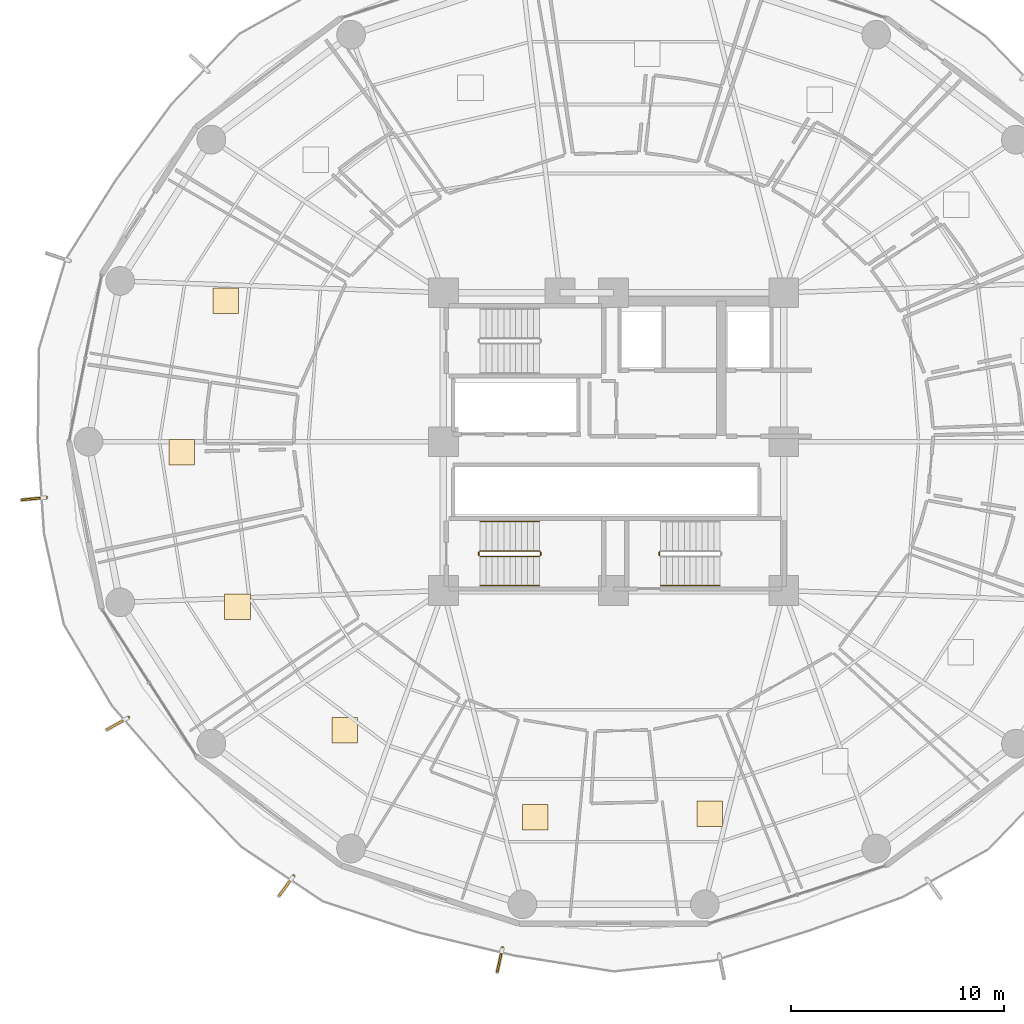
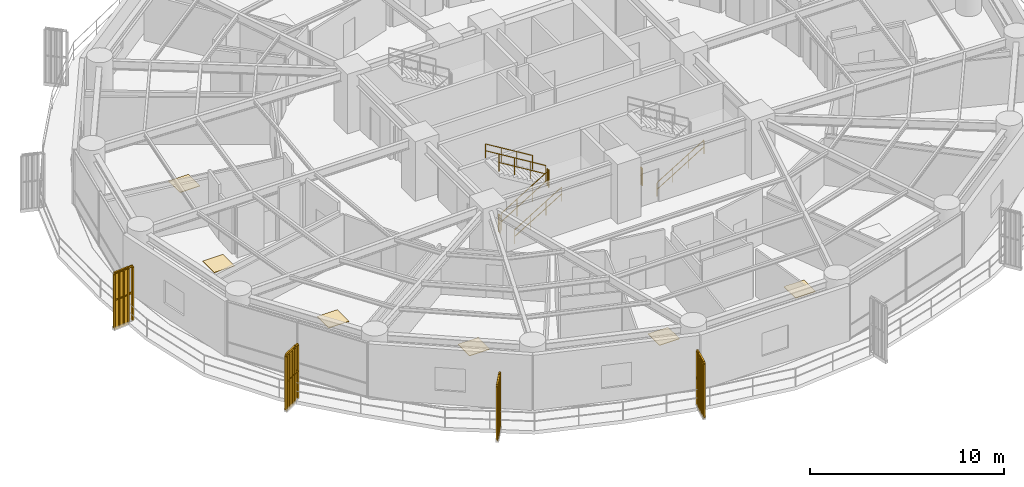
# One storey, part 32 of 35: 12 railings, 6 coverings, 4 shading devices.
"""IFC4 building model written with IfcOpenShell, lengths in metres."""

from ifc_helpers import new_model, si_unit, direction, frame, origin, origin_2d, place, context, subcontext, project, spatial, polyline, rectangle, outline, extrude, source, transform, mapped, material, layer, layer_set, type_object, element, save


model = new_model("IFC4")

# Units and contexts
model_context = context("Model", 3, precision=1e-05, world=origin(), true_north=direction((0.0, 1.0)))
body_context = subcontext(model_context, "Body", "Model", "MODEL_VIEW")
ifc_project = project(units=[si_unit("LENGTHUNIT", "METRE"), si_unit("AREAUNIT", "SQUARE_METRE"), si_unit("VOLUMEUNIT", "CUBIC_METRE"), si_unit("PLANEANGLEUNIT", "RADIAN"), si_unit("MASSUNIT", "GRAM", prefix="KILO")], contexts=[model_context])

# Site, building, storey
site_placement = place(None, origin())
site = spatial("IfcSite", under=ifc_project, at=site_placement, CompositionType="ELEMENT")
building_placement = place(site_placement, origin())
building = spatial("IfcBuilding", under=site, at=building_placement, Name="Kelanora Arch Commons", CompositionType="ELEMENT")
storey_placement = place(building_placement, frame((0.0, 0.0, 95.10009765625)))
storey = spatial("IfcBuildingStorey", under=building, at=storey_placement, Name="L24", CompositionType="ELEMENT", Elevation=95.10009765625)

# Railings
ifc_material_1 = material(Name="Anodised bronze vertical shading fin rib assembly")
railing_type_1 = type_object("IfcRailingType", Name="RAIL-FIN-BRZ", PredefinedType="BALUSTRADE", material=ifc_material_1)
railing_1_placement = place(storey_placement, frame((47.338134765625, 55.37646484375, -0.02001953125)))
element("IfcRailing", 1, at=railing_1_placement, inside=storey, type_object=railing_type_1, Name="Sweeping Bronze Vertical Fin Blade L24-06", PredefinedType="BALUSTRADE", context=body_context, shape_type="SweptSolid", body=[
    extrude(outline(polyline([(0.06982421875, 0.0), (0.034912109375, 0.060546875), (-0.034912109375, 0.060546875), (-0.06982421875, 0.0), (-0.034912109375, -0.060546875), (0.034912109375, -0.060546875), (0.06982421875, 0.0)])), frame((0.0, 0.0, 3.419921875), z_axis=(-0.995185984566, -0.09800436788, 0.0), x_axis=(0.09800436788, -0.995185984566, 0.0)), (0.0, 0.0, 1.0), 1.160888671875),
    extrude(outline(polyline([(0.06982421875, 0.0), (0.034912109375, 0.060546875), (-0.034912109375, 0.060546875), (-0.06982421875, 0.0), (-0.034912109375, -0.060546875), (0.034912109375, -0.060546875), (0.06982421875, 0.0)])), frame((0.0, 0.0, 1.7451171875), z_axis=(-0.995185984566, -0.09800436788, 0.0), x_axis=(0.09800436788, -0.995185984566, 0.0)), (0.0, 0.0, 1.0), 1.160888671875),
    extrude(outline(polyline([(0.080078125, 0.0), (0.0400390625, 0.0693359375), (-0.0400390625, 0.0693359375), (-0.080078125, 0.0), (-0.0400390625, -0.0693359375), (0.0400390625, -0.0693359375), (0.080078125, 0.0)])), origin(), (0.0, 0.0, 1.0), 3.35009765625),
    extrude(outline(polyline([(0.080078125, 0.0), (0.0400390625, 0.0693359375), (-0.0400390625, 0.0693359375), (-0.080078125, 0.0), (-0.0400390625, -0.0693359375), (0.0400390625, -0.0693359375), (0.080078125, 0.0)])), frame((-0.288818359375, -0.0283203125, 0.0)), (0.0, 0.0, 1.0), 3.35009765625),
    extrude(outline(polyline([(0.080078125, 0.0), (0.0400390625, 0.0693359375), (-0.0400390625, 0.0693359375), (-0.080078125, 0.0), (-0.0400390625, -0.0693359375), (0.0400390625, -0.0693359375), (0.080078125, 0.0)])), frame((-0.57763671875, -0.056884765625, 0.0)), (0.0, 0.0, 1.0), 3.35009765625),
    extrude(outline(polyline([(0.080078125, 0.0), (0.0400390625, 0.0693359375), (-0.0400390625, 0.0693359375), (-0.080078125, 0.0), (-0.0400390625, -0.0693359375), (0.0400390625, -0.0693359375), (0.080078125, 0.0)])), frame((-0.866455078125, -0.08544921875, 0.0)), (0.0, 0.0, 1.0), 3.35009765625),
    extrude(outline(polyline([(0.080078125, 0.0), (0.0400390625, 0.0693359375), (-0.0400390625, 0.0693359375), (-0.080078125, 0.0), (-0.0400390625, -0.0693359375), (0.0400390625, -0.0693359375), (0.080078125, 0.0)])), frame((-1.1552734375, -0.11376953125, 0.0)), (0.0, 0.0, 1.0), 3.35009765625),
])
railing_2_placement = place(storey_placement, frame((51.19482421875, 45.0341796875, -0.02001953125)))
element("IfcRailing", 2, at=railing_2_placement, inside=storey, type_object=railing_type_1, Name="Sweeping Bronze Vertical Fin Blade L24-07", PredefinedType="BALUSTRADE", context=body_context, shape_type="SweptSolid", body=[
    extrude(outline(polyline([(0.06982421875, 0.0), (0.034912109375, 0.060546875), (-0.034912109375, 0.060546875), (-0.06982421875, 0.0), (-0.034912109375, -0.060546875), (0.034912109375, -0.060546875), (0.06982421875, 0.0)])), frame((0.0, 0.0, 3.419921875), z_axis=(-0.869444238761, -0.494031087772, 0.0), x_axis=(0.494031087772, -0.869444238761, 0.0)), (0.0, 0.0, 1.0), 1.160888671875),
    extrude(outline(polyline([(0.06982421875, 0.0), (0.034912109375, 0.060546875), (-0.034912109375, 0.060546875), (-0.06982421875, 0.0), (-0.034912109375, -0.060546875), (0.034912109375, -0.060546875), (0.06982421875, 0.0)])), frame((0.0, 0.0, 1.7451171875), z_axis=(-0.869444238761, -0.494031087772, 0.0), x_axis=(0.494031087772, -0.869444238761, 0.0)), (0.0, 0.0, 1.0), 1.160888671875),
    extrude(outline(polyline([(0.080078125, 0.0), (0.0400390625, 0.0693359375), (-0.0400390625, 0.0693359375), (-0.080078125, 0.0), (-0.0400390625, -0.0693359375), (0.0400390625, -0.0693359375), (0.080078125, 0.0)])), origin(), (0.0, 0.0, 1.0), 3.35009765625),
    extrude(outline(polyline([(0.080078125, 0.0), (0.0400390625, 0.0693359375), (-0.0400390625, 0.0693359375), (-0.080078125, 0.0), (-0.0400390625, -0.0693359375), (0.0400390625, -0.0693359375), (0.080078125, 0.0)])), frame((-0.25244140625, -0.143310546875, 0.0)), (0.0, 0.0, 1.0), 3.35009765625),
    extrude(outline(polyline([(0.080078125, 0.0), (0.0400390625, 0.0693359375), (-0.0400390625, 0.0693359375), (-0.080078125, 0.0), (-0.0400390625, -0.0693359375), (0.0400390625, -0.0693359375), (0.080078125, 0.0)])), frame((-0.504638671875, -0.28662109375, 0.0)), (0.0, 0.0, 1.0), 3.35009765625),
    extrude(outline(polyline([(0.080078125, 0.0), (0.0400390625, 0.0693359375), (-0.0400390625, 0.0693359375), (-0.080078125, 0.0), (-0.0400390625, -0.0693359375), (0.0400390625, -0.0693359375), (0.080078125, 0.0)])), frame((-0.7568359375, -0.43017578125, 0.0)), (0.0, 0.0, 1.0), 3.35009765625),
    extrude(outline(polyline([(0.080078125, 0.0), (0.0400390625, 0.0693359375), (-0.0400390625, 0.0693359375), (-0.080078125, 0.0), (-0.0400390625, -0.0693359375), (0.0400390625, -0.0693359375), (0.080078125, 0.0)])), frame((-1.00927734375, -0.573486328125, 0.0)), (0.0, 0.0, 1.0), 3.35009765625),
])
railing_3_placement = place(storey_placement, frame((58.959228515625, 37.584228515625, -0.02001953125)))
element("IfcRailing", 3, at=railing_3_placement, inside=storey, type_object=railing_type_1, Name="Sweeping Bronze Vertical Fin Blade L24-08", PredefinedType="BALUSTRADE", context=body_context, shape_type="SweptSolid", body=[
    extrude(outline(polyline([(0.06982421875, 0.0), (0.034912109375, 0.060546875), (-0.034912109375, 0.060546875), (-0.06982421875, 0.0), (-0.034912109375, -0.060546875), (0.034912109375, -0.060546875), (0.06982421875, 0.0)])), frame((0.0, 0.0, 3.419921875), z_axis=(-0.593112941638, -0.805119269712, 0.0), x_axis=(0.805119269712, -0.593112941638, 0.0)), (0.0, 0.0, 1.0), 1.160888671875),
    extrude(outline(polyline([(0.06982421875, 0.0), (0.034912109375, 0.060546875), (-0.034912109375, 0.060546875), (-0.06982421875, 0.0), (-0.034912109375, -0.060546875), (0.034912109375, -0.060546875), (0.06982421875, 0.0)])), frame((0.0, 0.0, 1.7451171875), z_axis=(-0.593112941638, -0.805119269712, 0.0), x_axis=(0.805119269712, -0.593112941638, 0.0)), (0.0, 0.0, 1.0), 1.160888671875),
    extrude(outline(polyline([(0.080078125, 0.0), (0.0400390625, 0.0693359375), (-0.0400390625, 0.0693359375), (-0.080078125, 0.0), (-0.0400390625, -0.0693359375), (0.0400390625, -0.0693359375), (0.080078125, 0.0)])), origin(), (0.0, 0.0, 1.0), 3.35009765625),
    extrude(outline(polyline([(0.080078125, 0.0), (0.0400390625, 0.0693359375), (-0.0400390625, 0.0693359375), (-0.080078125, 0.0), (-0.0400390625, -0.0693359375), (0.0400390625, -0.0693359375), (0.080078125, 0.0)])), frame((-0.172119140625, -0.233642578125, 0.0)), (0.0, 0.0, 1.0), 3.35009765625),
    extrude(outline(polyline([(0.080078125, 0.0), (0.0400390625, 0.0693359375), (-0.0400390625, 0.0693359375), (-0.080078125, 0.0), (-0.0400390625, -0.0693359375), (0.0400390625, -0.0693359375), (0.080078125, 0.0)])), frame((-0.34423828125, -0.46728515625, 0.0)), (0.0, 0.0, 1.0), 3.35009765625),
    extrude(outline(polyline([(0.080078125, 0.0), (0.0400390625, 0.0693359375), (-0.0400390625, 0.0693359375), (-0.080078125, 0.0), (-0.0400390625, -0.0693359375), (0.0400390625, -0.0693359375), (0.080078125, 0.0)])), frame((-0.516357421875, -0.700927734375, 0.0)), (0.0, 0.0, 1.0), 3.35009765625),
    extrude(outline(polyline([(0.080078125, 0.0), (0.0400390625, 0.0693359375), (-0.0400390625, 0.0693359375), (-0.080078125, 0.0), (-0.0400390625, -0.0693359375), (0.0400390625, -0.0693359375), (0.080078125, 0.0)])), frame((-0.6884765625, -0.9345703125, 0.0)), (0.0, 0.0, 1.0), 3.35009765625),
])
railing_4_placement = place(storey_placement, frame((68.7783203125, 34.21044921875, -0.02001953125)))
element("IfcRailing", 4, at=railing_4_placement, inside=storey, type_object=railing_type_1, Name="Sweeping Bronze Vertical Fin Blade L24-09", PredefinedType="BALUSTRADE", context=body_context, shape_type="SweptSolid", body=[
    extrude(outline(polyline([(0.06982421875, 0.0), (0.034912109375, 0.060546875), (-0.034912109375, 0.060546875), (-0.06982421875, 0.0), (-0.034912109375, -0.060546875), (0.034912109375, -0.060546875), (0.06982421875, 0.0)])), frame((0.0, 0.0, 3.419921875), z_axis=(-0.214524746916, -0.976718553607, 0.0), x_axis=(0.976718553607, -0.214524746916, 0.0)), (0.0, 0.0, 1.0), 1.160888671875),
    extrude(outline(polyline([(0.06982421875, 0.0), (0.034912109375, 0.060546875), (-0.034912109375, 0.060546875), (-0.06982421875, 0.0), (-0.034912109375, -0.060546875), (0.034912109375, -0.060546875), (0.06982421875, 0.0)])), frame((0.0, 0.0, 1.7451171875), z_axis=(-0.214524746916, -0.976718553607, 0.0), x_axis=(0.976718553607, -0.214524746916, 0.0)), (0.0, 0.0, 1.0), 1.160888671875),
    extrude(outline(polyline([(0.080078125, 0.0), (0.0400390625, 0.0693359375), (-0.0400390625, 0.0693359375), (-0.080078125, 0.0), (-0.0400390625, -0.0693359375), (0.0400390625, -0.0693359375), (0.080078125, 0.0)])), origin(), (0.0, 0.0, 1.0), 3.35009765625),
    extrude(outline(polyline([(0.080078125, 0.0), (0.0400390625, 0.0693359375), (-0.0400390625, 0.0693359375), (-0.080078125, 0.0), (-0.0400390625, -0.0693359375), (0.0400390625, -0.0693359375), (0.080078125, 0.0)])), frame((-0.062255859375, -0.283447265625, 0.0)), (0.0, 0.0, 1.0), 3.35009765625),
    extrude(outline(polyline([(0.080078125, 0.0), (0.0400390625, 0.0693359375), (-0.0400390625, 0.0693359375), (-0.080078125, 0.0), (-0.0400390625, -0.0693359375), (0.0400390625, -0.0693359375), (0.080078125, 0.0)])), frame((-0.12451171875, -0.56689453125, 0.0)), (0.0, 0.0, 1.0), 3.35009765625),
    extrude(outline(polyline([(0.080078125, 0.0), (0.0400390625, 0.0693359375), (-0.0400390625, 0.0693359375), (-0.080078125, 0.0), (-0.0400390625, -0.0693359375), (0.0400390625, -0.0693359375), (0.080078125, 0.0)])), frame((-0.186767578125, -0.850341796875, 0.0)), (0.0, 0.0, 1.0), 3.35009765625),
    extrude(outline(polyline([(0.080078125, 0.0), (0.0400390625, 0.0693359375), (-0.0400390625, 0.0693359375), (-0.080078125, 0.0), (-0.0400390625, -0.0693359375), (0.0400390625, -0.0693359375), (0.080078125, 0.0)])), frame((-0.2490234375, -1.1337890625, 0.0)), (0.0, 0.0, 1.0), 3.35009765625),
])
ifc_material_2 = material(Name="Painted steel stair well guard", Category="steel")
railing_type_2 = type_object("IfcRailingType", Name="RAIL-STAIR-GRD", PredefinedType="GUARDRAIL", material=ifc_material_2)
railing_5_placement = place(storey_placement, frame((76.14990234375, 52.659912109375, 0.0)))
element("IfcRailing", 5, at=railing_5_placement, inside=storey, type_object=railing_type_2, Name="L24 ST-T2 stair guard 4", PredefinedType="GUARDRAIL", context=body_context, shape_type="SweptSolid", body=[
    extrude(outline(polyline([(0.02392578125, 0.0), (0.011962890625, 0.020751953125), (-0.011962890625, 0.020751953125), (-0.02392578125, 0.0), (-0.011962890625, -0.020751953125), (0.011962890625, -0.020751953125), (0.02392578125, 0.0)])), frame((0.0, 0.0, 1.076171875), z_axis=(0.0, 1.0, 0.0), x_axis=(-1.0, 0.0, 0.0)), (0.0, 0.0, 1.0), 0.150146484375),
    extrude(outline(polyline([(0.02392578125, 0.0), (0.011962890625, 0.020751953125), (-0.011962890625, 0.020751953125), (-0.02392578125, 0.0), (-0.011962890625, -0.020751953125), (0.011962890625, -0.020751953125), (0.02392578125, 0.0)])), frame((0.0, 0.0, 0.550048828125), z_axis=(0.0, 1.0, 0.0), x_axis=(-1.0, 0.0, 0.0)), (0.0, 0.0, 1.0), 0.150146484375),
    extrude(outline(polyline([(0.02099609375, 0.0), (0.010498046875, 0.01806640625), (-0.010498046875, 0.01806640625), (-0.02099609375, 0.0), (-0.010498046875, -0.01806640625), (0.010498046875, -0.01806640625), (0.02099609375, 0.0)])), origin(), (0.0, 0.0, 1.0), 1.052001953125),
    extrude(outline(polyline([(0.02099609375, 0.0), (0.010498046875, 0.01806640625), (-0.010498046875, 0.01806640625), (-0.02099609375, 0.0), (-0.010498046875, -0.01806640625), (0.010498046875, -0.01806640625), (0.02099609375, 0.0)])), frame((0.0, 0.150146484375, 0.0)), (0.0, 0.0, 1.0), 1.052001953125),
])
railing_6_placement = place(storey_placement, frame((67.719970703125, 52.610107421875, 0.17041015625)))
element("IfcRailing", 6, at=railing_6_placement, inside=storey, type_object=railing_type_2, Name="L24 ST-T3 stair guard 1", PredefinedType="GUARDRAIL", context=body_context, shape_type="SweptSolid", body=[
    extrude(outline(polyline([(0.02392578125, 0.0), (0.011962890625, 0.020751953125), (-0.011962890625, 0.020751953125), (-0.02392578125, 0.0), (-0.011962890625, -0.020751953125), (0.011962890625, -0.020751953125), (0.02392578125, 0.0)])), frame((0.0, 0.0, 1.076171875), z_axis=(0.854169791009, 0.0, 0.51999420009), x_axis=(0.0, 1.0, 0.0)), (0.0, 0.0, 1.0), 3.278076171875),
    extrude(outline(polyline([(0.02392578125, 0.0), (0.011962890625, 0.020751953125), (-0.011962890625, 0.020751953125), (-0.02392578125, 0.0), (-0.011962890625, -0.020751953125), (0.011962890625, -0.020751953125), (0.02392578125, 0.0)])), frame((0.0, 0.0, 0.550048828125), z_axis=(0.854169791009, 0.0, 0.51999420009), x_axis=(0.0, 1.0, 0.0)), (0.0, 0.0, 1.0), 3.278076171875),
    extrude(outline(polyline([(0.02099609375, 0.0), (0.010498046875, 0.01806640625), (-0.010498046875, 0.01806640625), (-0.02099609375, 0.0), (-0.010498046875, -0.01806640625), (0.010498046875, -0.01806640625), (0.02099609375, 0.0)])), origin(), (0.0, 0.0, 1.0), 1.052001953125),
    extrude(outline(polyline([(0.02099609375, 0.0), (0.010498046875, 0.01806640625), (-0.010498046875, 0.01806640625), (-0.02099609375, 0.0), (-0.010498046875, -0.01806640625), (0.010498046875, -0.01806640625), (0.02099609375, 0.0)])), frame((0.933349609375, 0.0, 0.568115234375)), (0.0, 0.0, 1.0), 1.052001953125),
    extrude(outline(polyline([(0.02099609375, 0.0), (0.010498046875, 0.01806640625), (-0.010498046875, 0.01806640625), (-0.02099609375, 0.0), (-0.010498046875, -0.01806640625), (0.010498046875, -0.01806640625), (0.02099609375, 0.0)])), frame((1.86669921875, 0.0, 1.136474609375)), (0.0, 0.0, 1.0), 1.052001953125),
    extrude(outline(polyline([(0.02099609375, 0.0), (0.010498046875, 0.01806640625), (-0.010498046875, 0.01806640625), (-0.02099609375, 0.0), (-0.010498046875, -0.01806640625), (0.010498046875, -0.01806640625), (0.02099609375, 0.0)])), frame((2.800048828125, 0.0, 1.70458984375)), (0.0, 0.0, 1.0), 1.052001953125),
])
railing_7_placement = place(storey_placement, frame((70.570068359375, 52.659912109375, 1.875)))
element("IfcRailing", 7, at=railing_7_placement, inside=storey, type_object=railing_type_2, Name="L24 ST-T3 stair guard 2", PredefinedType="GUARDRAIL", context=body_context, shape_type="SweptSolid", body=[
    extrude(outline(polyline([(0.02392578125, 0.0), (0.011962890625, 0.020751953125), (-0.011962890625, 0.020751953125), (-0.02392578125, 0.0), (-0.011962890625, -0.020751953125), (0.011962890625, -0.020751953125), (0.02392578125, 0.0)])), frame((0.0, 0.0, 1.076171875), z_axis=(0.0, 1.0, 0.0), x_axis=(-1.0, 0.0, 0.0)), (0.0, 0.0, 1.0), 0.150146484375),
    extrude(outline(polyline([(0.02392578125, 0.0), (0.011962890625, 0.020751953125), (-0.011962890625, 0.020751953125), (-0.02392578125, 0.0), (-0.011962890625, -0.020751953125), (0.011962890625, -0.020751953125), (0.02392578125, 0.0)])), frame((0.0, 0.0, 0.550048828125), z_axis=(0.0, 1.0, 0.0), x_axis=(-1.0, 0.0, 0.0)), (0.0, 0.0, 1.0), 0.150146484375),
    extrude(outline(polyline([(0.02099609375, 0.0), (0.010498046875, 0.01806640625), (-0.010498046875, 0.01806640625), (-0.02099609375, 0.0), (-0.010498046875, -0.01806640625), (0.010498046875, -0.01806640625), (0.02099609375, 0.0)])), origin(), (0.0, 0.0, 1.0), 1.052001953125),
    extrude(outline(polyline([(0.02099609375, 0.0), (0.010498046875, 0.01806640625), (-0.010498046875, 0.01806640625), (-0.02099609375, 0.0), (-0.010498046875, -0.01806640625), (0.010498046875, -0.01806640625), (0.02099609375, 0.0)])), frame((0.0, 0.150146484375, 0.0)), (0.0, 0.0, 1.0), 1.052001953125),
])
railing_8_placement = place(storey_placement, frame((70.52001953125, 52.860107421875, 2.04541015625)))
element("IfcRailing", 8, at=railing_8_placement, inside=storey, type_object=railing_type_2, Name="L24 ST-T3 stair guard 3", PredefinedType="GUARDRAIL", context=body_context, shape_type="SweptSolid", body=[
    extrude(outline(polyline([(0.02392578125, 0.0), (0.011962890625, 0.020751953125), (-0.011962890625, 0.020751953125), (-0.02392578125, 0.0), (-0.011962890625, -0.020751953125), (0.011962890625, -0.020751953125), (0.02392578125, 0.0)])), frame((0.0, 0.0, 1.076171875), z_axis=(-0.854169791009, 0.0, 0.51999420009), x_axis=(0.0, -1.0, 0.0)), (0.0, 0.0, 1.0), 3.278076171875),
    extrude(outline(polyline([(0.02392578125, 0.0), (0.011962890625, 0.020751953125), (-0.011962890625, 0.020751953125), (-0.02392578125, 0.0), (-0.011962890625, -0.020751953125), (0.011962890625, -0.020751953125), (0.02392578125, 0.0)])), frame((0.0, 0.0, 0.550048828125), z_axis=(-0.854169791009, 0.0, 0.51999420009), x_axis=(0.0, -1.0, 0.0)), (0.0, 0.0, 1.0), 3.278076171875),
    extrude(outline(polyline([(0.02099609375, 0.0), (0.010498046875, 0.01806640625), (-0.010498046875, 0.01806640625), (-0.02099609375, 0.0), (-0.010498046875, -0.01806640625), (0.010498046875, -0.01806640625), (0.02099609375, 0.0)])), origin(), (0.0, 0.0, 1.0), 1.052001953125),
    extrude(outline(polyline([(0.02099609375, 0.0), (0.010498046875, 0.01806640625), (-0.010498046875, 0.01806640625), (-0.02099609375, 0.0), (-0.010498046875, -0.01806640625), (0.010498046875, -0.01806640625), (0.02099609375, 0.0)])), frame((-0.933349609375, 0.0, 0.568115234375)), (0.0, 0.0, 1.0), 1.052001953125),
    extrude(outline(polyline([(0.02099609375, 0.0), (0.010498046875, 0.01806640625), (-0.010498046875, 0.01806640625), (-0.02099609375, 0.0), (-0.010498046875, -0.01806640625), (0.010498046875, -0.01806640625), (0.02099609375, 0.0)])), frame((-1.86669921875, 0.0, 1.136474609375)), (0.0, 0.0, 1.0), 1.052001953125),
    extrude(outline(polyline([(0.02099609375, 0.0), (0.010498046875, 0.01806640625), (-0.010498046875, 0.01806640625), (-0.02099609375, 0.0), (-0.010498046875, -0.01806640625), (0.010498046875, -0.01806640625), (0.02099609375, 0.0)])), frame((-2.800048828125, 0.0, 1.70458984375)), (0.0, 0.0, 1.0), 1.052001953125),
])
railing_9_placement = place(storey_placement, frame((67.669921875, 52.659912109375, 0.0)))
element("IfcRailing", 9, at=railing_9_placement, inside=storey, type_object=railing_type_2, Name="L24 ST-T3 stair guard 4", PredefinedType="GUARDRAIL", context=body_context, shape_type="SweptSolid", body=[
    extrude(outline(polyline([(0.02392578125, 0.0), (0.011962890625, 0.020751953125), (-0.011962890625, 0.020751953125), (-0.02392578125, 0.0), (-0.011962890625, -0.020751953125), (0.011962890625, -0.020751953125), (0.02392578125, 0.0)])), frame((0.0, 0.0, 1.076171875), z_axis=(0.0, 1.0, 0.0), x_axis=(-1.0, 0.0, 0.0)), (0.0, 0.0, 1.0), 0.150146484375),
    extrude(outline(polyline([(0.02392578125, 0.0), (0.011962890625, 0.020751953125), (-0.011962890625, 0.020751953125), (-0.02392578125, 0.0), (-0.011962890625, -0.020751953125), (0.011962890625, -0.020751953125), (0.02392578125, 0.0)])), frame((0.0, 0.0, 0.550048828125), z_axis=(0.0, 1.0, 0.0), x_axis=(-1.0, 0.0, 0.0)), (0.0, 0.0, 1.0), 0.150146484375),
    extrude(outline(polyline([(0.02099609375, 0.0), (0.010498046875, 0.01806640625), (-0.010498046875, 0.01806640625), (-0.02099609375, 0.0), (-0.010498046875, -0.01806640625), (0.010498046875, -0.01806640625), (0.02099609375, 0.0)])), origin(), (0.0, 0.0, 1.0), 1.052001953125),
    extrude(outline(polyline([(0.02099609375, 0.0), (0.010498046875, 0.01806640625), (-0.010498046875, 0.01806640625), (-0.02099609375, 0.0), (-0.010498046875, -0.01806640625), (0.010498046875, -0.01806640625), (0.02099609375, 0.0)])), frame((0.0, 0.150146484375, 0.0)), (0.0, 0.0, 1.0), 1.052001953125),
])
ifc_material_3 = material(Name="Brushed stainless steel stair handrail", Category="steel")
railing_type_3 = type_object("IfcRailingType", Name="RAIL-STAIR-HND", PredefinedType="HANDRAIL", material=ifc_material_3)
railing_10_placement = place(storey_placement, frame((76.199951171875, 51.22998046875, 0.17041015625)))
element("IfcRailing", 10, at=railing_10_placement, inside=storey, type_object=railing_type_3, Name="L24 ST-T2 stair handrail 1", PredefinedType="HANDRAIL", context=body_context, shape_type="SweptSolid", body=[
    extrude(outline(polyline([(0.02392578125, 0.0), (0.011962890625, 0.020751953125), (-0.011962890625, 0.020751953125), (-0.02392578125, 0.0), (-0.011962890625, -0.020751953125), (0.011962890625, -0.020751953125), (0.02392578125, 0.0)])), frame((0.0, 0.0, 0.8759765625), z_axis=(0.854169791009, 0.0, 0.51999420009), x_axis=(0.0, 1.0, 0.0)), (0.0, 0.0, 1.0), 3.278076171875),
    extrude(outline(polyline([(0.02392578125, 0.0), (0.011962890625, 0.020751953125), (-0.011962890625, 0.020751953125), (-0.02392578125, 0.0), (-0.011962890625, -0.020751953125), (0.011962890625, -0.020751953125), (0.02392578125, 0.0)])), frame((0.0, 0.0, 0.449951171875), z_axis=(0.854169791009, 0.0, 0.51999420009), x_axis=(0.0, 1.0, 0.0)), (0.0, 0.0, 1.0), 3.278076171875),
    extrude(outline(polyline([(0.02099609375, 0.0), (0.010498046875, 0.01806640625), (-0.010498046875, 0.01806640625), (-0.02099609375, 0.0), (-0.010498046875, -0.01806640625), (0.010498046875, -0.01806640625), (0.02099609375, 0.0)])), origin(), (0.0, 0.0, 1.0), 0.851806640625),
    extrude(outline(polyline([(0.02099609375, 0.0), (0.010498046875, 0.01806640625), (-0.010498046875, 0.01806640625), (-0.02099609375, 0.0), (-0.010498046875, -0.01806640625), (0.010498046875, -0.01806640625), (0.02099609375, 0.0)])), frame((0.933349609375, 0.0, 0.568115234375)), (0.0, 0.0, 1.0), 0.851806640625),
    extrude(outline(polyline([(0.02099609375, 0.0), (0.010498046875, 0.01806640625), (-0.010498046875, 0.01806640625), (-0.02099609375, 0.0), (-0.010498046875, -0.01806640625), (0.010498046875, -0.01806640625), (0.02099609375, 0.0)])), frame((1.86669921875, 0.0, 1.136474609375)), (0.0, 0.0, 1.0), 0.851806640625),
    extrude(outline(polyline([(0.02099609375, 0.0), (0.010498046875, 0.01806640625), (-0.010498046875, 0.01806640625), (-0.02099609375, 0.0), (-0.010498046875, -0.01806640625), (0.010498046875, -0.01806640625), (0.02099609375, 0.0)])), frame((2.800048828125, 0.0, 1.70458984375)), (0.0, 0.0, 1.0), 0.851806640625),
])
railing_11_placement = place(storey_placement, frame((67.719970703125, 51.22998046875, 0.17041015625)))
element("IfcRailing", 11, at=railing_11_placement, inside=storey, type_object=railing_type_3, Name="L24 ST-T3 stair handrail 1", PredefinedType="HANDRAIL", context=body_context, shape_type="SweptSolid", body=[
    extrude(outline(polyline([(0.02392578125, 0.0), (0.011962890625, 0.020751953125), (-0.011962890625, 0.020751953125), (-0.02392578125, 0.0), (-0.011962890625, -0.020751953125), (0.011962890625, -0.020751953125), (0.02392578125, 0.0)])), frame((0.0, 0.0, 0.8759765625), z_axis=(0.854169791009, 0.0, 0.51999420009), x_axis=(0.0, 1.0, 0.0)), (0.0, 0.0, 1.0), 3.278076171875),
    extrude(outline(polyline([(0.02392578125, 0.0), (0.011962890625, 0.020751953125), (-0.011962890625, 0.020751953125), (-0.02392578125, 0.0), (-0.011962890625, -0.020751953125), (0.011962890625, -0.020751953125), (0.02392578125, 0.0)])), frame((0.0, 0.0, 0.449951171875), z_axis=(0.854169791009, 0.0, 0.51999420009), x_axis=(0.0, 1.0, 0.0)), (0.0, 0.0, 1.0), 3.278076171875),
    extrude(outline(polyline([(0.02099609375, 0.0), (0.010498046875, 0.01806640625), (-0.010498046875, 0.01806640625), (-0.02099609375, 0.0), (-0.010498046875, -0.01806640625), (0.010498046875, -0.01806640625), (0.02099609375, 0.0)])), origin(), (0.0, 0.0, 1.0), 0.851806640625),
    extrude(outline(polyline([(0.02099609375, 0.0), (0.010498046875, 0.01806640625), (-0.010498046875, 0.01806640625), (-0.02099609375, 0.0), (-0.010498046875, -0.01806640625), (0.010498046875, -0.01806640625), (0.02099609375, 0.0)])), frame((0.933349609375, 0.0, 0.568115234375)), (0.0, 0.0, 1.0), 0.851806640625),
    extrude(outline(polyline([(0.02099609375, 0.0), (0.010498046875, 0.01806640625), (-0.010498046875, 0.01806640625), (-0.02099609375, 0.0), (-0.010498046875, -0.01806640625), (0.010498046875, -0.01806640625), (0.02099609375, 0.0)])), frame((1.86669921875, 0.0, 1.136474609375)), (0.0, 0.0, 1.0), 0.851806640625),
    extrude(outline(polyline([(0.02099609375, 0.0), (0.010498046875, 0.01806640625), (-0.010498046875, 0.01806640625), (-0.02099609375, 0.0), (-0.010498046875, -0.01806640625), (0.010498046875, -0.01806640625), (0.02099609375, 0.0)])), frame((2.800048828125, 0.0, 1.70458984375)), (0.0, 0.0, 1.0), 0.851806640625),
])
railing_12_placement = place(storey_placement, frame((70.52001953125, 54.239990234375, 2.04541015625)))
element("IfcRailing", 12, at=railing_12_placement, inside=storey, type_object=railing_type_3, Name="L24 ST-T3 stair handrail 2", PredefinedType="HANDRAIL", context=body_context, shape_type="SweptSolid", body=[
    extrude(outline(polyline([(0.02392578125, 0.0), (0.011962890625, 0.020751953125), (-0.011962890625, 0.020751953125), (-0.02392578125, 0.0), (-0.011962890625, -0.020751953125), (0.011962890625, -0.020751953125), (0.02392578125, 0.0)])), frame((0.0, 0.0, 0.8759765625), z_axis=(-0.854169791009, 0.0, 0.51999420009), x_axis=(0.0, -1.0, 0.0)), (0.0, 0.0, 1.0), 3.278076171875),
    extrude(outline(polyline([(0.02392578125, 0.0), (0.011962890625, 0.020751953125), (-0.011962890625, 0.020751953125), (-0.02392578125, 0.0), (-0.011962890625, -0.020751953125), (0.011962890625, -0.020751953125), (0.02392578125, 0.0)])), frame((0.0, 0.0, 0.449951171875), z_axis=(-0.854169791009, 0.0, 0.51999420009), x_axis=(0.0, -1.0, 0.0)), (0.0, 0.0, 1.0), 3.278076171875),
    extrude(outline(polyline([(0.02099609375, 0.0), (0.010498046875, 0.01806640625), (-0.010498046875, 0.01806640625), (-0.02099609375, 0.0), (-0.010498046875, -0.01806640625), (0.010498046875, -0.01806640625), (0.02099609375, 0.0)])), origin(), (0.0, 0.0, 1.0), 0.851806640625),
    extrude(outline(polyline([(0.02099609375, 0.0), (0.010498046875, 0.01806640625), (-0.010498046875, 0.01806640625), (-0.02099609375, 0.0), (-0.010498046875, -0.01806640625), (0.010498046875, -0.01806640625), (0.02099609375, 0.0)])), frame((-0.933349609375, 0.0, 0.568115234375)), (0.0, 0.0, 1.0), 0.851806640625),
    extrude(outline(polyline([(0.02099609375, 0.0), (0.010498046875, 0.01806640625), (-0.010498046875, 0.01806640625), (-0.02099609375, 0.0), (-0.010498046875, -0.01806640625), (0.010498046875, -0.01806640625), (0.02099609375, 0.0)])), frame((-1.86669921875, 0.0, 1.136474609375)), (0.0, 0.0, 1.0), 0.851806640625),
    extrude(outline(polyline([(0.02099609375, 0.0), (0.010498046875, 0.01806640625), (-0.010498046875, 0.01806640625), (-0.02099609375, 0.0), (-0.010498046875, -0.01806640625), (0.010498046875, -0.01806640625), (0.02099609375, 0.0)])), frame((-2.800048828125, 0.0, 1.70458984375)), (0.0, 0.0, 1.0), 0.851806640625),
])

# Shading devices
ifc_material_4 = material(Name="Terracotta ceramic-clad extruded aluminium fin", Category="masonry")
shading_device_type = type_object("IfcShadingDeviceType", Name="SHD-FIN-FLARE", PredefinedType="USERDEFINED", material=ifc_material_4)
shared_shape_1 = source(origin(), body_context, "Body", "SweptSolid", [
    extrude(rectangle(XDim=0.8798828125, YDim=0.090087890625, at=origin_2d()), origin(), (0.0, 0.0, 1.0), 3.610107421875),
])
for number, where, z_axis, x_axis, name in (
    (13, (46.62158203125, 55.305908203125, -0.14013671875), (0.0, 0.0, 1.0), (-0.995193276492, -0.097930293706, 0.0), "Sweeping Terracotta Fin L24-06"),
    (14, (50.56884765625, 44.678466796875, -0.14013671875), (0.0, 0.0, 1.0), (-0.869322458298, -0.494245347472, 0.0), "Sweeping Terracotta Fin L24-07"),
    (15, (58.5322265625, 37.004638671875, -0.14013671875), (0.0, 0.0, 1.0), (-0.593137889518, -0.805100890583, 0.0), "Sweeping Terracotta Fin L24-08"),
    (16, (68.623779296875, 33.507080078125, -0.14013671875), (0.0, 0.0, 1.0), (-0.214394391152, -0.9767471756, 0.0), "Sweeping Terracotta Fin L24-09"),
):
    element("IfcShadingDevice", number, at=place(storey_placement, frame(where, z_axis=z_axis, x_axis=x_axis)), inside=storey, type_object=shading_device_type, Name=name, ObjectType="FIN", PredefinedType="USERDEFINED", context=body_context, shape_type="MappedRepresentation", body=[
        mapped(shared_shape_1, transform((0.0, 0.0, 0.0), scale=1.0)),
    ])

# Coverings
ifc_material_5 = material(Name="Polished local granite terrazzo flooring", Category="masonry")
ifc_layer = layer(ifc_material_5, 0.030029296875)
ifc_layer_set = layer_set([ifc_layer], Name="Polished local granite terrazzo flooring")
covering_type = type_object("IfcCoveringType", Name="COV-FLR-TER", PredefinedType="FLOORING", material=ifc_layer_set)
shared_shape_2 = source(origin(), body_context, "Body", "SweptSolid", [
    extrude(rectangle(XDim=1.199951171875, YDim=1.199951171875, at=origin_2d()), origin(), (0.0, 0.0, 1.0), 0.030029296875),
])
for number, where, z_axis, x_axis, name in (
    (17, (55.765625, 64.632568359375, 0.0), (0.0, 0.0, 1.0), (1.0, 0.0, 0.0), "Social Sky Lounge L24-06 Terrazzo Finish"),
    (18, (53.69775390625, 57.505126953125, 0.0), (0.0, 0.0, 1.0), (1.0, 0.0, 0.0), "Co-Living Studio L24-07 Terrazzo Finish"),
    (19, (56.32421875, 50.238525390625, 0.0), (0.0, 0.0, 1.0), (1.0, 0.0, 0.0), "Quiet Seminar Study Room L24-08 Terrazzo Finish"),
    (20, (61.35888671875, 44.437255859375, 0.0), (0.0, 0.0, 1.0), (1.0, 0.0, 0.0), "Communal Dining and Social Hall L24-09 Terrazzo Finish"),
    (21, (70.3212890625, 40.349853515625, 0.0), (0.0, 0.0, 1.0), (1.0, 0.0, 0.0), "Quiet Reading Carrel L24-10 Terrazzo Finish"),
    (22, (78.526611328125, 40.5185546875, 0.0), (0.0, 0.0, 1.0), (1.0, 0.0, 0.0), "Tutorial Study Alcove L24-11 Terrazzo Finish"),
):
    element("IfcCovering", number, at=place(storey_placement, frame(where, z_axis=z_axis, x_axis=x_axis)), inside=storey, type_object=covering_type, Name=name, PredefinedType="FLOORING", context=body_context, shape_type="MappedRepresentation", body=[
        mapped(shared_shape_2, transform((0.0, 0.0, 0.0), scale=1.0)),
    ])

save(model, "model.ifc")
